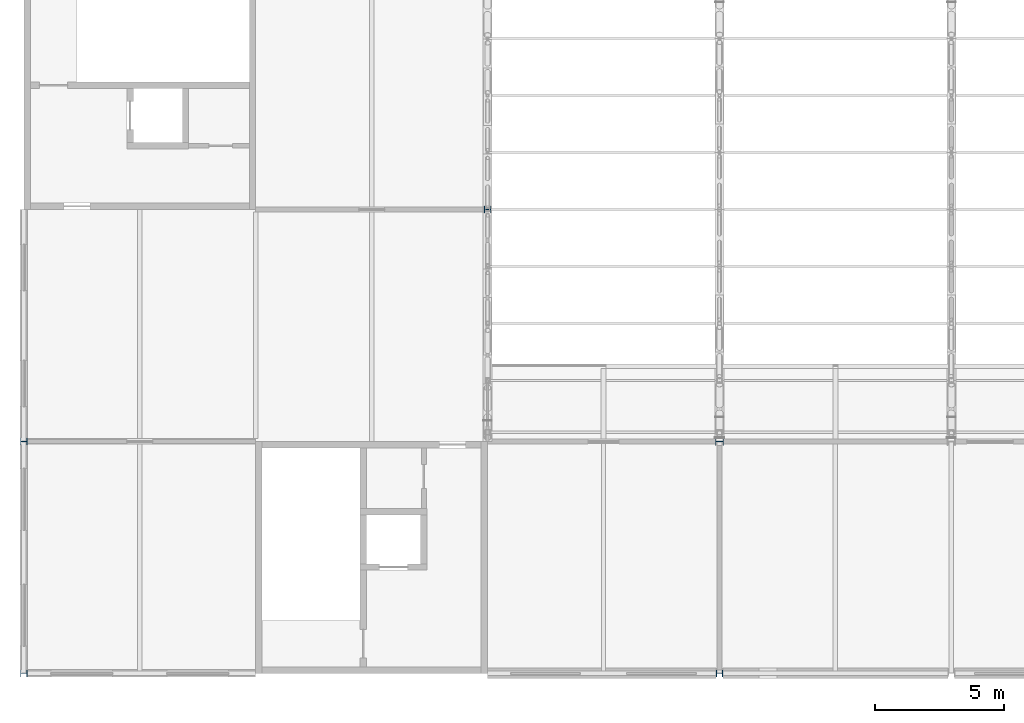
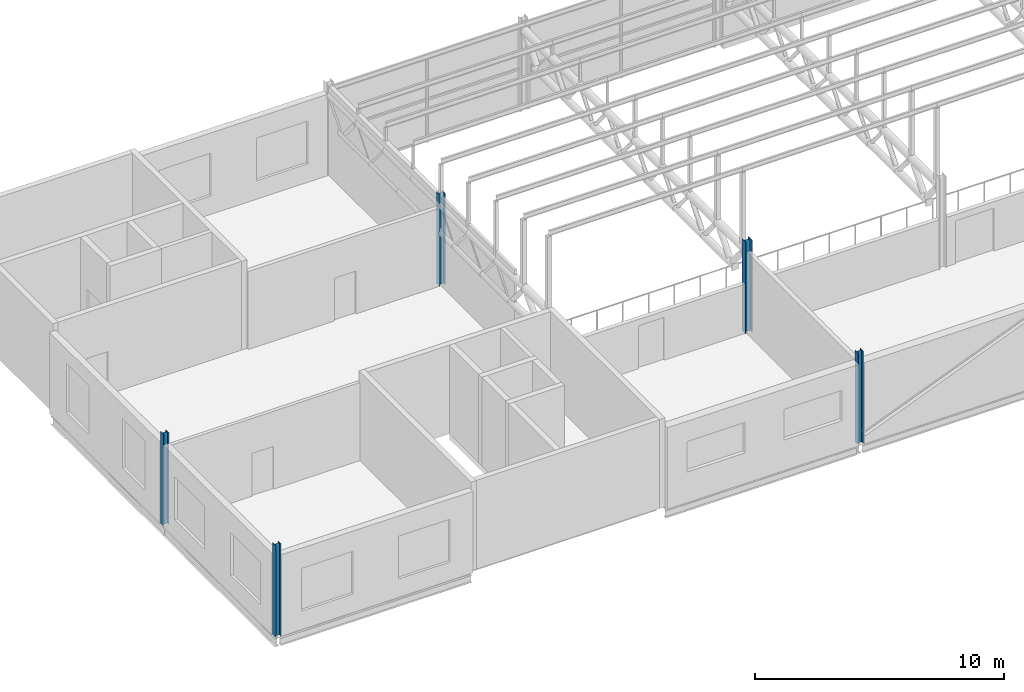
# One storey, part 1 of 138: 5 columns.
"""IFC4 building model written with IfcOpenShell, lengths in metres."""

from ifc_helpers import new_model, si_unit, direction, frame, origin, origin_2d, place, context, subcontext, project, spatial, i_section, extrude, material, material_profile, profile_set, type_object, element, save


model = new_model("IFC4")

# Units and contexts
model_context = context("Model", 3, precision=1e-05, world=origin(), true_north=direction((0.0, 1.0)))
body_context = subcontext(model_context, "Body", "Model", "MODEL_VIEW")
ifc_project = project(units=[si_unit("LENGTHUNIT", "METRE"), si_unit("AREAUNIT", "SQUARE_METRE"), si_unit("VOLUMEUNIT", "CUBIC_METRE"), si_unit("PLANEANGLEUNIT", "RADIAN"), si_unit("MASSUNIT", "GRAM", prefix="KILO")], contexts=[model_context])

# Site, building, storey
site_placement = place(None, origin())
site = spatial("IfcSite", under=ifc_project, at=site_placement, CompositionType="ELEMENT")
building_placement = place(site_placement, origin())
building = spatial("IfcBuilding", under=site, at=building_placement, Name="Corbel Yard City Hall", CompositionType="ELEMENT")
storey_placement = place(building_placement, frame((0.0, 0.0, 10.5)))
storey = spatial("IfcBuildingStorey", under=building, at=storey_placement, Name="L02", CompositionType="ELEMENT", Elevation=10.5)

# Columns
ifc_material = material(Name="Steel Grade 300 (300 MPa yield)", Category="steel")
ifc_material_profile_1 = material_profile(ifc_material, i_section(OverallWidth=0.25390625, OverallDepth=0.25390625, WebThickness=0.008544921875, FlangeThickness=0.01416015625, at=origin_2d()), Name="250UC72.9")
ifc_profile_set_1 = profile_set([ifc_material_profile_1], Name="Steel Grade 300 (300 MPa yield)")
column_type_1 = type_object("IfcColumnType", Name="Column 250UC72.9", PredefinedType="COLUMN", material=ifc_profile_set_1)
for number, where, z_axis, x_axis, name in (
    (1, (0.0, 0.0, 0.0), (0.0, 0.0, 1.0), (0.0, 1.0, 0.0), "Column 250UC72.9 A/1 L02"),
    (2, (0.0, 9.0, 0.0), (0.0, 0.0, 1.0), (0.0, 1.0, 0.0), "Column 250UC72.9 B/1 L02"),
    (3, (27.0, 0.0, 0.0), (0.0, 0.0, 1.0), (0.0, 1.0, 0.0), "Column 250UC72.9 A/4 L02"),
):
    element("IfcColumn", number, at=place(storey_placement, frame(where, z_axis=z_axis, x_axis=x_axis)), inside=storey, type_object=column_type_1, Name=name, PredefinedType="COLUMN", context=body_context, shape_type="SweptSolid", body=[
        extrude(i_section(OverallWidth=0.25390625, OverallDepth=0.25390625, WebThickness=0.008544921875, FlangeThickness=0.01416015625, at=origin_2d()), origin(), (0.0, 0.0, 1.0), 4.5),
    ])
ifc_material_profile_2 = material_profile(ifc_material, i_section(OverallWidth=0.256103515625, OverallDepth=0.260009765625, WebThickness=0.010498046875, FlangeThickness=0.017333984375, at=origin_2d()), Name="250UC89.5")
ifc_profile_set_2 = profile_set([ifc_material_profile_2], Name="Steel Grade 300 (300 MPa yield)")
column_type_2 = type_object("IfcColumnType", Name="Column 250UC89.5", PredefinedType="COLUMN", material=ifc_profile_set_2)
column_1_placement = place(storey_placement, frame((18.0, 18.0, 0.0), z_axis=(0.0, 0.0, 1.0), x_axis=(0.0, 1.0, 0.0)))
element("IfcColumn", 4, at=column_1_placement, inside=storey, type_object=column_type_2, Name="Column 250UC89.5 C/3 L02", PredefinedType="COLUMN", context=body_context, shape_type="SweptSolid", body=[
    extrude(i_section(OverallWidth=0.256103515625, OverallDepth=0.260009765625, WebThickness=0.010498046875, FlangeThickness=0.017333984375, at=origin_2d()), origin(), (0.0, 0.0, 1.0), 4.5),
])
ifc_material_profile_3 = material_profile(ifc_material, i_section(OverallWidth=0.304931640625, OverallDepth=0.30810546875, WebThickness=0.010009765625, FlangeThickness=0.015380859375, at=origin_2d()), Name="310UC96.8")
ifc_profile_set_3 = profile_set([ifc_material_profile_3], Name="Steel Grade 300 (300 MPa yield)")
column_type_3 = type_object("IfcColumnType", Name="Column 310UC96.8", PredefinedType="COLUMN", material=ifc_profile_set_3)
column_2_placement = place(storey_placement, frame((27.0, 9.0, 0.0), z_axis=(0.0, 0.0, 1.0), x_axis=(0.0, 1.0, 0.0)))
element("IfcColumn", 5, at=column_2_placement, inside=storey, type_object=column_type_3, Name="Column 310UC96.8 B/4 L02", PredefinedType="COLUMN", context=body_context, shape_type="SweptSolid", body=[
    extrude(i_section(OverallWidth=0.304931640625, OverallDepth=0.30810546875, WebThickness=0.010009765625, FlangeThickness=0.015380859375, at=origin_2d()), origin(), (0.0, 0.0, 1.0), 4.5),
])

save(model, "model.ifc")
